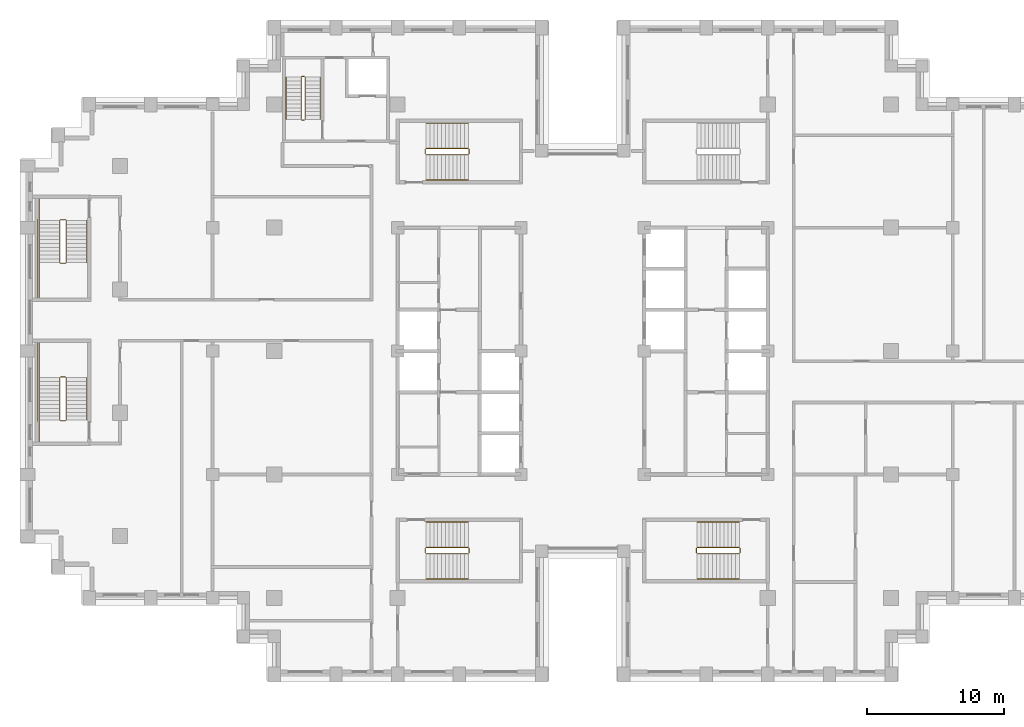
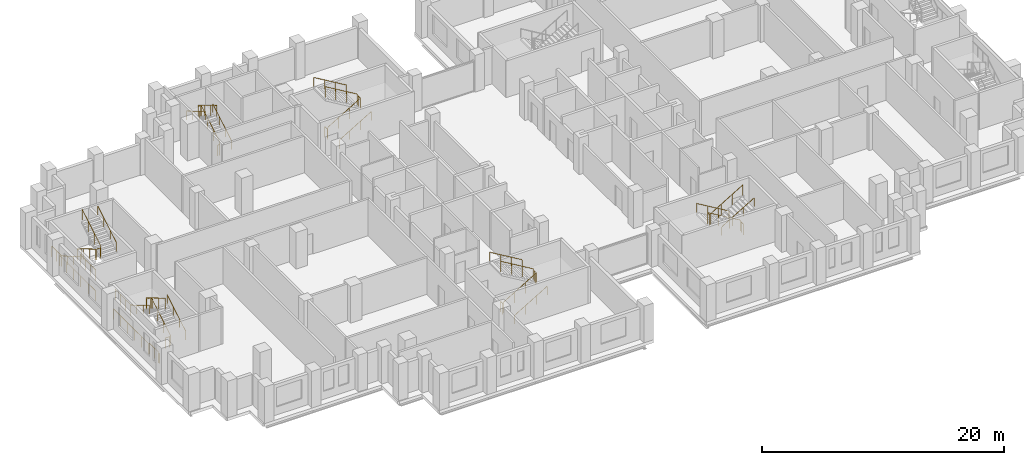
# One storey, part 14 of 15: 6 railings.
"""IFC4 building model written with IfcOpenShell, lengths in metres."""

from ifc_helpers import new_model, si_unit, direction, frame, origin, origin_2d, place, context, subcontext, project, spatial, circle, extrude, material, type_object, element, save


model = new_model("IFC4")

# Units and contexts
model_context = context("Model", 3, precision=1e-05, world=origin(), true_north=direction((0.0, 1.0)))
body_context = subcontext(model_context, "Body", "Model", "MODEL_VIEW")
ifc_project = project(units=[si_unit("LENGTHUNIT", "METRE"), si_unit("AREAUNIT", "SQUARE_METRE"), si_unit("VOLUMEUNIT", "CUBIC_METRE"), si_unit("PLANEANGLEUNIT", "RADIAN"), si_unit("MASSUNIT", "GRAM", prefix="KILO")], contexts=[model_context])

# Site, building, storey
site_placement = place(None, origin())
site = spatial("IfcSite", under=ifc_project, at=site_placement, CompositionType="ELEMENT")
building_placement = place(site_placement, origin())
building = spatial("IfcBuilding", under=site, at=building_placement, Name="Corbelhall Arena Tower", CompositionType="ELEMENT")
storey_placement = place(building_placement, frame((0.0, 0.0, 142.0)))
storey = spatial("IfcBuildingStorey", under=building, at=storey_placement, Name="L27", CompositionType="ELEMENT", Elevation=142.0)

# Railings
ifc_material = material(Name="Steel ASTM A500 Gr C", Category="steel")
railing_type = type_object("IfcRailingType", Name="IN-GD-1100", PredefinedType="GUARDRAIL", material=ifc_material)
railing_1_placement = place(storey_placement, frame((-11.425048828125, 14.324951171875, 0.166748046875)))
element("IfcRailing", 1, at=railing_1_placement, inside=storey, type_object=railing_type, Name="L27 ST1 stair guards and handrails", PredefinedType="GUARDRAIL", context=body_context, shape_type="SweptSolid", body=[
    extrude(circle(Radius=0.02392578125, at=origin_2d()), frame((0.0, 0.0, 1.076171875), z_axis=(0.859308565015, 0.0, 0.511457515432), x_axis=(0.0, 1.0, 0.0)), (0.0, 0.0, 1.0), 3.58447265625),
    extrude(circle(Radius=0.02392578125, at=origin_2d()), frame((3.130126953125, 0.050048828125, 2.9091796875), z_axis=(0.0, 1.0, 0.0), x_axis=(-1.0, 0.0, 0.0)), (0.0, 0.0, 1.0), 0.35009765625),
    extrude(circle(Radius=0.02392578125, at=origin_2d()), frame((3.080078125, 0.449951171875, 3.076171875), z_axis=(-0.859308565015, 0.0, 0.511457515432), x_axis=(0.0, -1.0, 0.0)), (0.0, 0.0, 1.0), 3.58447265625),
    extrude(circle(Radius=0.02392578125, at=origin_2d()), frame((-0.050048828125, 0.050048828125, 0.9091796875), z_axis=(0.0, 1.0, 0.0), x_axis=(-1.0, 0.0, 0.0)), (0.0, 0.0, 1.0), 0.35009765625),
    extrude(circle(Radius=0.02392578125, at=origin_2d()), frame((0.0, -1.849853515625, 0.8759765625), z_axis=(0.859308565015, 0.0, 0.511457515432), x_axis=(0.0, 1.0, 0.0)), (0.0, 0.0, 1.0), 3.58447265625),
    extrude(circle(Radius=0.02392578125, at=origin_2d()), frame((3.080078125, 2.300048828125, 2.8759765625), z_axis=(-0.859308565015, 0.0, 0.511457515432), x_axis=(0.0, -1.0, 0.0)), (0.0, 0.0, 1.0), 3.58447265625),
    extrude(circle(Radius=0.02099609375, at=origin_2d()), origin(), (0.0, 0.0, 1.0), 1.052001953125),
    extrude(circle(Radius=0.02099609375, at=origin_2d()), frame((1.026611328125, 0.0, 0.611083984375)), (0.0, 0.0, 1.0), 1.052001953125),
    extrude(circle(Radius=0.02099609375, at=origin_2d()), frame((2.053466796875, 0.0, 1.22216796875)), (0.0, 0.0, 1.0), 1.052001953125),
    extrude(circle(Radius=0.02099609375, at=origin_2d()), frame((3.080078125, 0.0, 1.833251953125)), (0.0, 0.0, 1.0), 1.052001953125),
    extrude(circle(Radius=0.02099609375, at=origin_2d()), frame((3.130126953125, 0.050048828125, 1.833251953125)), (0.0, 0.0, 1.0), 1.052001953125),
    extrude(circle(Radius=0.02099609375, at=origin_2d()), frame((3.130126953125, 0.400146484375, 1.833251953125)), (0.0, 0.0, 1.0), 1.052001953125),
    extrude(circle(Radius=0.02099609375, at=origin_2d()), frame((3.080078125, 0.449951171875, 2.0)), (0.0, 0.0, 1.0), 1.052001953125),
    extrude(circle(Radius=0.02099609375, at=origin_2d()), frame((2.053466796875, 0.449951171875, 2.611083984375)), (0.0, 0.0, 1.0), 1.052001953125),
    extrude(circle(Radius=0.02099609375, at=origin_2d()), frame((1.026611328125, 0.449951171875, 3.22216796875)), (0.0, 0.0, 1.0), 1.052001953125),
    extrude(circle(Radius=0.02099609375, at=origin_2d()), frame((0.0, 0.449951171875, 3.833251953125)), (0.0, 0.0, 1.0), 1.052001953125),
    extrude(circle(Radius=0.02099609375, at=origin_2d()), frame((-0.050048828125, 0.050048828125, -0.166748046875)), (0.0, 0.0, 1.0), 1.052001953125),
    extrude(circle(Radius=0.02099609375, at=origin_2d()), frame((-0.050048828125, 0.400146484375, -0.166748046875)), (0.0, 0.0, 1.0), 1.052001953125),
    extrude(circle(Radius=0.02099609375, at=origin_2d()), frame((0.0, -1.849853515625, 0.0)), (0.0, 0.0, 1.0), 0.851806640625),
    extrude(circle(Radius=0.02099609375, at=origin_2d()), frame((1.026611328125, -1.849853515625, 0.611083984375)), (0.0, 0.0, 1.0), 0.851806640625),
    extrude(circle(Radius=0.02099609375, at=origin_2d()), frame((2.053466796875, -1.849853515625, 1.22216796875)), (0.0, 0.0, 1.0), 0.851806640625),
    extrude(circle(Radius=0.02099609375, at=origin_2d()), frame((3.080078125, -1.849853515625, 1.833251953125)), (0.0, 0.0, 1.0), 0.851806640625),
    extrude(circle(Radius=0.02099609375, at=origin_2d()), frame((3.080078125, 2.300048828125, 2.0)), (0.0, 0.0, 1.0), 0.851806640625),
    extrude(circle(Radius=0.02099609375, at=origin_2d()), frame((2.053466796875, 2.300048828125, 2.611083984375)), (0.0, 0.0, 1.0), 0.851806640625),
    extrude(circle(Radius=0.02099609375, at=origin_2d()), frame((1.026611328125, 2.300048828125, 3.22216796875)), (0.0, 0.0, 1.0), 0.851806640625),
    extrude(circle(Radius=0.02099609375, at=origin_2d()), frame((0.0, 2.300048828125, 3.833251953125)), (0.0, 0.0, 1.0), 0.851806640625),
])
railing_2_placement = place(storey_placement, frame((-11.425048828125, -14.77490234375, 0.166748046875)))
element("IfcRailing", 2, at=railing_2_placement, inside=storey, type_object=railing_type, Name="L27 ST2 stair guards and handrails", PredefinedType="GUARDRAIL", context=body_context, shape_type="SweptSolid", body=[
    extrude(circle(Radius=0.02392578125, at=origin_2d()), frame((0.0, 0.0, 1.076171875), z_axis=(0.859308565015, 0.0, 0.511457515432), x_axis=(0.0, 1.0, 0.0)), (0.0, 0.0, 1.0), 3.58447265625),
    extrude(circle(Radius=0.02392578125, at=origin_2d()), frame((3.130126953125, 0.0498046875, 2.9091796875), z_axis=(0.0, 1.0, 0.0), x_axis=(-1.0, 0.0, 0.0)), (0.0, 0.0, 1.0), 0.35009765625),
    extrude(circle(Radius=0.02392578125, at=origin_2d()), frame((3.080078125, 0.449951171875, 3.076171875), z_axis=(-0.859308565015, 0.0, 0.511457515432), x_axis=(0.0, -1.0, 0.0)), (0.0, 0.0, 1.0), 3.58447265625),
    extrude(circle(Radius=0.02392578125, at=origin_2d()), frame((-0.050048828125, 0.0498046875, 0.9091796875), z_axis=(0.0, 1.0, 0.0), x_axis=(-1.0, 0.0, 0.0)), (0.0, 0.0, 1.0), 0.35009765625),
    extrude(circle(Radius=0.02392578125, at=origin_2d()), frame((0.0, -1.85009765625, 0.8759765625), z_axis=(0.859308565015, 0.0, 0.511457515432), x_axis=(0.0, 1.0, 0.0)), (0.0, 0.0, 1.0), 3.58447265625),
    extrude(circle(Radius=0.02392578125, at=origin_2d()), frame((3.080078125, 2.2998046875, 2.8759765625), z_axis=(-0.859308565015, 0.0, 0.511457515432), x_axis=(0.0, -1.0, 0.0)), (0.0, 0.0, 1.0), 3.58447265625),
    extrude(circle(Radius=0.02099609375, at=origin_2d()), origin(), (0.0, 0.0, 1.0), 1.052001953125),
    extrude(circle(Radius=0.02099609375, at=origin_2d()), frame((1.026611328125, 0.0, 0.611083984375)), (0.0, 0.0, 1.0), 1.052001953125),
    extrude(circle(Radius=0.02099609375, at=origin_2d()), frame((2.053466796875, 0.0, 1.22216796875)), (0.0, 0.0, 1.0), 1.052001953125),
    extrude(circle(Radius=0.02099609375, at=origin_2d()), frame((3.080078125, 0.0, 1.833251953125)), (0.0, 0.0, 1.0), 1.052001953125),
    extrude(circle(Radius=0.02099609375, at=origin_2d()), frame((3.130126953125, 0.0498046875, 1.833251953125)), (0.0, 0.0, 1.0), 1.052001953125),
    extrude(circle(Radius=0.02099609375, at=origin_2d()), frame((3.130126953125, 0.39990234375, 1.833251953125)), (0.0, 0.0, 1.0), 1.052001953125),
    extrude(circle(Radius=0.02099609375, at=origin_2d()), frame((3.080078125, 0.449951171875, 2.0)), (0.0, 0.0, 1.0), 1.052001953125),
    extrude(circle(Radius=0.02099609375, at=origin_2d()), frame((2.053466796875, 0.449951171875, 2.611083984375)), (0.0, 0.0, 1.0), 1.052001953125),
    extrude(circle(Radius=0.02099609375, at=origin_2d()), frame((1.026611328125, 0.449951171875, 3.22216796875)), (0.0, 0.0, 1.0), 1.052001953125),
    extrude(circle(Radius=0.02099609375, at=origin_2d()), frame((0.0, 0.449951171875, 3.833251953125)), (0.0, 0.0, 1.0), 1.052001953125),
    extrude(circle(Radius=0.02099609375, at=origin_2d()), frame((-0.050048828125, 0.0498046875, -0.166748046875)), (0.0, 0.0, 1.0), 1.052001953125),
    extrude(circle(Radius=0.02099609375, at=origin_2d()), frame((-0.050048828125, 0.39990234375, -0.166748046875)), (0.0, 0.0, 1.0), 1.052001953125),
    extrude(circle(Radius=0.02099609375, at=origin_2d()), frame((0.0, -1.85009765625, 0.0)), (0.0, 0.0, 1.0), 0.851806640625),
    extrude(circle(Radius=0.02099609375, at=origin_2d()), frame((1.026611328125, -1.85009765625, 0.611083984375)), (0.0, 0.0, 1.0), 0.851806640625),
    extrude(circle(Radius=0.02099609375, at=origin_2d()), frame((2.053466796875, -1.85009765625, 1.22216796875)), (0.0, 0.0, 1.0), 0.851806640625),
    extrude(circle(Radius=0.02099609375, at=origin_2d()), frame((3.080078125, -1.85009765625, 1.833251953125)), (0.0, 0.0, 1.0), 0.851806640625),
    extrude(circle(Radius=0.02099609375, at=origin_2d()), frame((3.080078125, 2.2998046875, 2.0)), (0.0, 0.0, 1.0), 0.851806640625),
    extrude(circle(Radius=0.02099609375, at=origin_2d()), frame((2.053466796875, 2.2998046875, 2.611083984375)), (0.0, 0.0, 1.0), 0.851806640625),
    extrude(circle(Radius=0.02099609375, at=origin_2d()), frame((1.026611328125, 2.2998046875, 3.22216796875)), (0.0, 0.0, 1.0), 0.851806640625),
    extrude(circle(Radius=0.02099609375, at=origin_2d()), frame((0.0, 2.2998046875, 3.833251953125)), (0.0, 0.0, 1.0), 0.851806640625),
])
railing_3_placement = place(storey_placement, frame((11.425048828125, -14.324951171875, 0.166748046875)))
element("IfcRailing", 3, at=railing_3_placement, inside=storey, type_object=railing_type, Name="L27 ST4 stair guards and handrails", PredefinedType="GUARDRAIL", context=body_context, shape_type="SweptSolid", body=[
    extrude(circle(Radius=0.02392578125, at=origin_2d()), frame((0.0, 0.0, 1.076171875), z_axis=(-0.859308565015, 0.0, 0.511457515432), x_axis=(0.0, -1.0, 0.0)), (0.0, 0.0, 1.0), 3.58447265625),
    extrude(circle(Radius=0.02392578125, at=origin_2d()), frame((-3.130126953125, -0.050048828125, 2.9091796875), z_axis=(0.0, -1.0, 0.0), x_axis=(1.0, 0.0, 0.0)), (0.0, 0.0, 1.0), 0.35009765625),
    extrude(circle(Radius=0.02392578125, at=origin_2d()), frame((-3.080078125, -0.449951171875, 3.076171875), z_axis=(0.859308565015, 0.0, 0.511457515432), x_axis=(0.0, 1.0, 0.0)), (0.0, 0.0, 1.0), 3.58447265625),
    extrude(circle(Radius=0.02392578125, at=origin_2d()), frame((0.050048828125, -0.050048828125, 0.9091796875), z_axis=(0.0, -1.0, 0.0), x_axis=(1.0, 0.0, 0.0)), (0.0, 0.0, 1.0), 0.35009765625),
    extrude(circle(Radius=0.02392578125, at=origin_2d()), frame((0.0, 1.849853515625, 0.8759765625), z_axis=(-0.859308565015, 0.0, 0.511457515432), x_axis=(0.0, -1.0, 0.0)), (0.0, 0.0, 1.0), 3.58447265625),
    extrude(circle(Radius=0.02392578125, at=origin_2d()), frame((-3.080078125, -2.300048828125, 2.8759765625), z_axis=(0.859308565015, 0.0, 0.511457515432), x_axis=(0.0, 1.0, 0.0)), (0.0, 0.0, 1.0), 3.58447265625),
    extrude(circle(Radius=0.02099609375, at=origin_2d()), origin(), (0.0, 0.0, 1.0), 1.052001953125),
    extrude(circle(Radius=0.02099609375, at=origin_2d()), frame((-1.026611328125, 0.0, 0.611083984375)), (0.0, 0.0, 1.0), 1.052001953125),
    extrude(circle(Radius=0.02099609375, at=origin_2d()), frame((-2.053466796875, 0.0, 1.22216796875)), (0.0, 0.0, 1.0), 1.052001953125),
    extrude(circle(Radius=0.02099609375, at=origin_2d()), frame((-3.080078125, 0.0, 1.833251953125)), (0.0, 0.0, 1.0), 1.052001953125),
    extrude(circle(Radius=0.02099609375, at=origin_2d()), frame((-3.130126953125, -0.050048828125, 1.833251953125)), (0.0, 0.0, 1.0), 1.052001953125),
    extrude(circle(Radius=0.02099609375, at=origin_2d()), frame((-3.130126953125, -0.400146484375, 1.833251953125)), (0.0, 0.0, 1.0), 1.052001953125),
    extrude(circle(Radius=0.02099609375, at=origin_2d()), frame((-3.080078125, -0.449951171875, 2.0)), (0.0, 0.0, 1.0), 1.052001953125),
    extrude(circle(Radius=0.02099609375, at=origin_2d()), frame((-2.053466796875, -0.449951171875, 2.611083984375)), (0.0, 0.0, 1.0), 1.052001953125),
    extrude(circle(Radius=0.02099609375, at=origin_2d()), frame((-1.026611328125, -0.449951171875, 3.22216796875)), (0.0, 0.0, 1.0), 1.052001953125),
    extrude(circle(Radius=0.02099609375, at=origin_2d()), frame((0.0, -0.449951171875, 3.833251953125)), (0.0, 0.0, 1.0), 1.052001953125),
    extrude(circle(Radius=0.02099609375, at=origin_2d()), frame((0.050048828125, -0.050048828125, -0.166748046875)), (0.0, 0.0, 1.0), 1.052001953125),
    extrude(circle(Radius=0.02099609375, at=origin_2d()), frame((0.050048828125, -0.400146484375, -0.166748046875)), (0.0, 0.0, 1.0), 1.052001953125),
    extrude(circle(Radius=0.02099609375, at=origin_2d()), frame((0.0, 1.849853515625, 0.0)), (0.0, 0.0, 1.0), 0.851806640625),
    extrude(circle(Radius=0.02099609375, at=origin_2d()), frame((-1.026611328125, 1.849853515625, 0.611083984375)), (0.0, 0.0, 1.0), 0.851806640625),
    extrude(circle(Radius=0.02099609375, at=origin_2d()), frame((-2.053466796875, 1.849853515625, 1.22216796875)), (0.0, 0.0, 1.0), 0.851806640625),
    extrude(circle(Radius=0.02099609375, at=origin_2d()), frame((-3.080078125, 1.849853515625, 1.833251953125)), (0.0, 0.0, 1.0), 0.851806640625),
    extrude(circle(Radius=0.02099609375, at=origin_2d()), frame((-3.080078125, -2.300048828125, 2.0)), (0.0, 0.0, 1.0), 0.851806640625),
    extrude(circle(Radius=0.02099609375, at=origin_2d()), frame((-2.053466796875, -2.300048828125, 2.611083984375)), (0.0, 0.0, 1.0), 0.851806640625),
    extrude(circle(Radius=0.02099609375, at=origin_2d()), frame((-1.026611328125, -2.300048828125, 3.22216796875)), (0.0, 0.0, 1.0), 0.851806640625),
    extrude(circle(Radius=0.02099609375, at=origin_2d()), frame((0.0, -2.300048828125, 3.833251953125)), (0.0, 0.0, 1.0), 0.851806640625),
])
railing_4_placement = place(storey_placement, frame((-38.14990234375, 9.52490234375, 0.166748046875)))
element("IfcRailing", 4, at=railing_4_placement, inside=storey, type_object=railing_type, Name="L27 SC1 stair guards and handrails", PredefinedType="GUARDRAIL", context=body_context, shape_type="SweptSolid", body=[
    extrude(circle(Radius=0.02392578125, at=origin_2d()), frame((0.0, 0.0, 1.076171875), z_axis=(0.0, -0.859290745958, 0.51148745235), x_axis=(1.0, 0.0, 0.0)), (0.0, 0.0, 1.0), 3.584228515625),
    extrude(circle(Radius=0.02392578125, at=origin_2d()), frame((0.0498046875, -3.1298828125, 2.9091796875), z_axis=(1.0, 0.0, 0.0), x_axis=(0.0, 1.0, 0.0)), (0.0, 0.0, 1.0), 0.375),
    extrude(circle(Radius=0.02392578125, at=origin_2d()), frame((-1.5, -3.079833984375, 2.9091796875), z_axis=(0.0, -1.0, 0.0), x_axis=(1.0, 0.0, 0.0)), (0.0, 0.0, 1.0), 2.570068359375),
    extrude(circle(Radius=0.02392578125, at=origin_2d()), frame((0.474853515625, -3.079833984375, 3.076171875), z_axis=(0.0, 0.859290745958, 0.51148745235), x_axis=(-1.0, 0.0, 0.0)), (0.0, 0.0, 1.0), 3.584228515625),
    extrude(circle(Radius=0.02392578125, at=origin_2d()), frame((0.0498046875, 0.050048828125, 0.9091796875), z_axis=(1.0, 0.0, 0.0), x_axis=(0.0, 1.0, 0.0)), (0.0, 0.0, 1.0), 0.375),
    extrude(circle(Radius=0.02392578125, at=origin_2d()), frame((-1.5, 1.60009765625, 0.9091796875), z_axis=(0.0, -1.0, 0.0), x_axis=(1.0, 0.0, 0.0)), (0.0, 0.0, 1.0), 1.60009765625),
    extrude(circle(Radius=0.02392578125, at=origin_2d()), frame((-1.60009765625, 0.10009765625, 0.9091796875), z_axis=(0.0, -1.0, 0.0), x_axis=(1.0, 0.0, 0.0)), (0.0, 0.0, 1.0), 5.85009765625),
    extrude(circle(Radius=0.02392578125, at=origin_2d()), frame((-1.5, 0.0, 0.8759765625), z_axis=(0.0, -0.859290745958, 0.51148745235), x_axis=(1.0, 0.0, 0.0)), (0.0, 0.0, 1.0), 3.584228515625),
    extrude(circle(Radius=0.02392578125, at=origin_2d()), frame((1.974853515625, -3.079833984375, 2.8759765625), z_axis=(0.0, 0.859290745958, 0.51148745235), x_axis=(-1.0, 0.0, 0.0)), (0.0, 0.0, 1.0), 3.584228515625),
    extrude(circle(Radius=0.02099609375, at=origin_2d()), origin(), (0.0, 0.0, 1.0), 1.052001953125),
    extrude(circle(Radius=0.02099609375, at=origin_2d()), frame((0.0, -1.026611328125, 0.611083984375)), (0.0, 0.0, 1.0), 1.052001953125),
    extrude(circle(Radius=0.02099609375, at=origin_2d()), frame((0.0, -2.05322265625, 1.22216796875)), (0.0, 0.0, 1.0), 1.052001953125),
    extrude(circle(Radius=0.02099609375, at=origin_2d()), frame((0.0, -3.079833984375, 1.833251953125)), (0.0, 0.0, 1.0), 1.052001953125),
    extrude(circle(Radius=0.02099609375, at=origin_2d()), frame((0.0498046875, -3.1298828125, 1.833251953125)), (0.0, 0.0, 1.0), 1.052001953125),
    extrude(circle(Radius=0.02099609375, at=origin_2d()), frame((0.4248046875, -3.1298828125, 1.833251953125)), (0.0, 0.0, 1.0), 1.052001953125),
    extrude(circle(Radius=0.02099609375, at=origin_2d()), frame((-1.5, -3.079833984375, 1.833251953125)), (0.0, 0.0, 1.0), 1.052001953125),
    extrude(circle(Radius=0.02099609375, at=origin_2d()), frame((-1.5, -3.9365234375, 1.833251953125)), (0.0, 0.0, 1.0), 1.052001953125),
    extrude(circle(Radius=0.02099609375, at=origin_2d()), frame((-1.5, -4.793212890625, 1.833251953125)), (0.0, 0.0, 1.0), 1.052001953125),
    extrude(circle(Radius=0.02099609375, at=origin_2d()), frame((-1.5, -5.64990234375, 1.833251953125)), (0.0, 0.0, 1.0), 1.052001953125),
    extrude(circle(Radius=0.02099609375, at=origin_2d()), frame((0.474853515625, -3.079833984375, 2.0)), (0.0, 0.0, 1.0), 1.052001953125),
    extrude(circle(Radius=0.02099609375, at=origin_2d()), frame((0.474853515625, -2.05322265625, 2.611083984375)), (0.0, 0.0, 1.0), 1.052001953125),
    extrude(circle(Radius=0.02099609375, at=origin_2d()), frame((0.474853515625, -1.026611328125, 3.22216796875)), (0.0, 0.0, 1.0), 1.052001953125),
    extrude(circle(Radius=0.02099609375, at=origin_2d()), frame((0.474853515625, 0.0, 3.833251953125)), (0.0, 0.0, 1.0), 1.052001953125),
    extrude(circle(Radius=0.02099609375, at=origin_2d()), frame((0.0498046875, 0.050048828125, -0.166748046875)), (0.0, 0.0, 1.0), 1.052001953125),
    extrude(circle(Radius=0.02099609375, at=origin_2d()), frame((0.4248046875, 0.050048828125, -0.166748046875)), (0.0, 0.0, 1.0), 1.052001953125),
    extrude(circle(Radius=0.02099609375, at=origin_2d()), frame((-1.5, 1.60009765625, -0.166748046875)), (0.0, 0.0, 1.0), 1.052001953125),
    extrude(circle(Radius=0.02099609375, at=origin_2d()), frame((-1.5, 0.800048828125, -0.166748046875)), (0.0, 0.0, 1.0), 1.052001953125),
    extrude(circle(Radius=0.02099609375, at=origin_2d()), frame((-1.5, 0.0, -0.166748046875)), (0.0, 0.0, 1.0), 1.052001953125),
    extrude(circle(Radius=0.02099609375, at=origin_2d()), frame((-1.60009765625, 0.10009765625, -0.166748046875)), (0.0, 0.0, 1.0), 1.052001953125),
    extrude(circle(Radius=0.02099609375, at=origin_2d()), frame((-1.60009765625, -1.06982421875, -0.166748046875)), (0.0, 0.0, 1.0), 1.052001953125),
    extrude(circle(Radius=0.02099609375, at=origin_2d()), frame((-1.60009765625, -2.239990234375, -0.166748046875)), (0.0, 0.0, 1.0), 1.052001953125),
    extrude(circle(Radius=0.02099609375, at=origin_2d()), frame((-1.60009765625, -3.409912109375, -0.166748046875)), (0.0, 0.0, 1.0), 1.052001953125),
    extrude(circle(Radius=0.02099609375, at=origin_2d()), frame((-1.60009765625, -4.580078125, -0.166748046875)), (0.0, 0.0, 1.0), 1.052001953125),
    extrude(circle(Radius=0.02099609375, at=origin_2d()), frame((-1.60009765625, -5.75, -0.166748046875)), (0.0, 0.0, 1.0), 1.052001953125),
    extrude(circle(Radius=0.02099609375, at=origin_2d()), frame((-1.5, 0.0, 0.0)), (0.0, 0.0, 1.0), 0.851806640625),
    extrude(circle(Radius=0.02099609375, at=origin_2d()), frame((-1.5, -1.026611328125, 0.611083984375)), (0.0, 0.0, 1.0), 0.851806640625),
    extrude(circle(Radius=0.02099609375, at=origin_2d()), frame((-1.5, -2.05322265625, 1.22216796875)), (0.0, 0.0, 1.0), 0.851806640625),
    extrude(circle(Radius=0.02099609375, at=origin_2d()), frame((1.974853515625, -3.079833984375, 2.0)), (0.0, 0.0, 1.0), 0.851806640625),
    extrude(circle(Radius=0.02099609375, at=origin_2d()), frame((1.974853515625, -2.05322265625, 2.611083984375)), (0.0, 0.0, 1.0), 0.851806640625),
    extrude(circle(Radius=0.02099609375, at=origin_2d()), frame((1.974853515625, -1.026611328125, 3.22216796875)), (0.0, 0.0, 1.0), 0.851806640625),
    extrude(circle(Radius=0.02099609375, at=origin_2d()), frame((1.974853515625, 0.0, 3.833251953125)), (0.0, 0.0, 1.0), 0.851806640625),
])
railing_5_placement = place(storey_placement, frame((-37.675048828125, -5.02490234375, 0.166748046875)))
element("IfcRailing", 5, at=railing_5_placement, inside=storey, type_object=railing_type, Name="L27 SC2 stair guards and handrails", PredefinedType="GUARDRAIL", context=body_context, shape_type="SweptSolid", body=[
    extrude(circle(Radius=0.02392578125, at=origin_2d()), frame((0.0, 0.0, 1.076171875), z_axis=(0.0, 0.859290745958, 0.51148745235), x_axis=(-1.0, 0.0, 0.0)), (0.0, 0.0, 1.0), 3.584228515625),
    extrude(circle(Radius=0.02392578125, at=origin_2d()), frame((-0.050048828125, 3.1298828125, 2.9091796875), z_axis=(-1.0, 0.0, 0.0), x_axis=(0.0, -1.0, 0.0)), (0.0, 0.0, 1.0), 0.375),
    extrude(circle(Radius=0.02392578125, at=origin_2d()), frame((-1.974853515625, 3.079833984375, 2.9091796875), z_axis=(0.0, 1.0, 0.0), x_axis=(-1.0, 0.0, 0.0)), (0.0, 0.0, 1.0), 2.570068359375),
    extrude(circle(Radius=0.02392578125, at=origin_2d()), frame((-0.474853515625, 3.079833984375, 3.076171875), z_axis=(0.0, -0.859290745958, 0.51148745235), x_axis=(1.0, 0.0, 0.0)), (0.0, 0.0, 1.0), 3.584228515625),
    extrude(circle(Radius=0.02392578125, at=origin_2d()), frame((-0.050048828125, -0.050048828125, 0.9091796875), z_axis=(-1.0, 0.0, 0.0), x_axis=(0.0, -1.0, 0.0)), (0.0, 0.0, 1.0), 0.375),
    extrude(circle(Radius=0.02392578125, at=origin_2d()), frame((-1.974853515625, -1.60009765625, 0.9091796875), z_axis=(0.0, 1.0, 0.0), x_axis=(-1.0, 0.0, 0.0)), (0.0, 0.0, 1.0), 1.60009765625),
    extrude(circle(Radius=0.02392578125, at=origin_2d()), frame((-2.074951171875, -0.10009765625, 0.9091796875), z_axis=(0.0, 1.0, 0.0), x_axis=(-1.0, 0.0, 0.0)), (0.0, 0.0, 1.0), 5.85009765625),
    extrude(circle(Radius=0.02392578125, at=origin_2d()), frame((1.5, 0.0, 0.8759765625), z_axis=(0.0, 0.859290745958, 0.51148745235), x_axis=(-1.0, 0.0, 0.0)), (0.0, 0.0, 1.0), 3.584228515625),
    extrude(circle(Radius=0.02392578125, at=origin_2d()), frame((-1.974853515625, 3.079833984375, 2.8759765625), z_axis=(0.0, -0.859290745958, 0.51148745235), x_axis=(1.0, 0.0, 0.0)), (0.0, 0.0, 1.0), 3.584228515625),
    extrude(circle(Radius=0.02099609375, at=origin_2d()), origin(), (0.0, 0.0, 1.0), 1.052001953125),
    extrude(circle(Radius=0.02099609375, at=origin_2d()), frame((0.0, 1.026611328125, 0.611083984375)), (0.0, 0.0, 1.0), 1.052001953125),
    extrude(circle(Radius=0.02099609375, at=origin_2d()), frame((0.0, 2.05322265625, 1.22216796875)), (0.0, 0.0, 1.0), 1.052001953125),
    extrude(circle(Radius=0.02099609375, at=origin_2d()), frame((0.0, 3.079833984375, 1.833251953125)), (0.0, 0.0, 1.0), 1.052001953125),
    extrude(circle(Radius=0.02099609375, at=origin_2d()), frame((-0.050048828125, 3.1298828125, 1.833251953125)), (0.0, 0.0, 1.0), 1.052001953125),
    extrude(circle(Radius=0.02099609375, at=origin_2d()), frame((-0.425048828125, 3.1298828125, 1.833251953125)), (0.0, 0.0, 1.0), 1.052001953125),
    extrude(circle(Radius=0.02099609375, at=origin_2d()), frame((-1.974853515625, 3.079833984375, 1.833251953125)), (0.0, 0.0, 1.0), 1.052001953125),
    extrude(circle(Radius=0.02099609375, at=origin_2d()), frame((-1.974853515625, 3.9365234375, 1.833251953125)), (0.0, 0.0, 1.0), 1.052001953125),
    extrude(circle(Radius=0.02099609375, at=origin_2d()), frame((-1.974853515625, 4.793212890625, 1.833251953125)), (0.0, 0.0, 1.0), 1.052001953125),
    extrude(circle(Radius=0.02099609375, at=origin_2d()), frame((-1.974853515625, 5.64990234375, 1.833251953125)), (0.0, 0.0, 1.0), 1.052001953125),
    extrude(circle(Radius=0.02099609375, at=origin_2d()), frame((-0.474853515625, 3.079833984375, 2.0)), (0.0, 0.0, 1.0), 1.052001953125),
    extrude(circle(Radius=0.02099609375, at=origin_2d()), frame((-0.474853515625, 2.05322265625, 2.611083984375)), (0.0, 0.0, 1.0), 1.052001953125),
    extrude(circle(Radius=0.02099609375, at=origin_2d()), frame((-0.474853515625, 1.026611328125, 3.22216796875)), (0.0, 0.0, 1.0), 1.052001953125),
    extrude(circle(Radius=0.02099609375, at=origin_2d()), frame((-0.474853515625, 0.0, 3.833251953125)), (0.0, 0.0, 1.0), 1.052001953125),
    extrude(circle(Radius=0.02099609375, at=origin_2d()), frame((-0.050048828125, -0.050048828125, -0.166748046875)), (0.0, 0.0, 1.0), 1.052001953125),
    extrude(circle(Radius=0.02099609375, at=origin_2d()), frame((-0.425048828125, -0.050048828125, -0.166748046875)), (0.0, 0.0, 1.0), 1.052001953125),
    extrude(circle(Radius=0.02099609375, at=origin_2d()), frame((-1.974853515625, -1.60009765625, -0.166748046875)), (0.0, 0.0, 1.0), 1.052001953125),
    extrude(circle(Radius=0.02099609375, at=origin_2d()), frame((-1.974853515625, -0.800048828125, -0.166748046875)), (0.0, 0.0, 1.0), 1.052001953125),
    extrude(circle(Radius=0.02099609375, at=origin_2d()), frame((-1.974853515625, 0.0, -0.166748046875)), (0.0, 0.0, 1.0), 1.052001953125),
    extrude(circle(Radius=0.02099609375, at=origin_2d()), frame((-2.074951171875, -0.10009765625, -0.166748046875)), (0.0, 0.0, 1.0), 1.052001953125),
    extrude(circle(Radius=0.02099609375, at=origin_2d()), frame((-2.074951171875, 1.06982421875, -0.166748046875)), (0.0, 0.0, 1.0), 1.052001953125),
    extrude(circle(Radius=0.02099609375, at=origin_2d()), frame((-2.074951171875, 2.239990234375, -0.166748046875)), (0.0, 0.0, 1.0), 1.052001953125),
    extrude(circle(Radius=0.02099609375, at=origin_2d()), frame((-2.074951171875, 3.409912109375, -0.166748046875)), (0.0, 0.0, 1.0), 1.052001953125),
    extrude(circle(Radius=0.02099609375, at=origin_2d()), frame((-2.074951171875, 4.580078125, -0.166748046875)), (0.0, 0.0, 1.0), 1.052001953125),
    extrude(circle(Radius=0.02099609375, at=origin_2d()), frame((-2.074951171875, 5.75, -0.166748046875)), (0.0, 0.0, 1.0), 1.052001953125),
    extrude(circle(Radius=0.02099609375, at=origin_2d()), frame((1.5, 0.0, 0.0)), (0.0, 0.0, 1.0), 0.851806640625),
    extrude(circle(Radius=0.02099609375, at=origin_2d()), frame((1.5, 1.026611328125, 0.611083984375)), (0.0, 0.0, 1.0), 0.851806640625),
    extrude(circle(Radius=0.02099609375, at=origin_2d()), frame((1.5, 2.05322265625, 1.22216796875)), (0.0, 0.0, 1.0), 0.851806640625),
    extrude(circle(Radius=0.02099609375, at=origin_2d()), frame((1.5, 3.079833984375, 1.833251953125)), (0.0, 0.0, 1.0), 0.851806640625),
    extrude(circle(Radius=0.02099609375, at=origin_2d()), frame((-1.974853515625, 3.079833984375, 2.0)), (0.0, 0.0, 1.0), 0.851806640625),
    extrude(circle(Radius=0.02099609375, at=origin_2d()), frame((-1.974853515625, 2.05322265625, 2.611083984375)), (0.0, 0.0, 1.0), 0.851806640625),
    extrude(circle(Radius=0.02099609375, at=origin_2d()), frame((-1.974853515625, 1.026611328125, 3.22216796875)), (0.0, 0.0, 1.0), 0.851806640625),
    extrude(circle(Radius=0.02099609375, at=origin_2d()), frame((-1.974853515625, 0.0, 3.833251953125)), (0.0, 0.0, 1.0), 0.851806640625),
])
railing_6_placement = place(storey_placement, frame((-20.2451171875, 16.89990234375, 0.166748046875)))
element("IfcRailing", 6, at=railing_6_placement, inside=storey, type_object=railing_type, Name="L27 ST5 stair guards and handrails", PredefinedType="GUARDRAIL", context=body_context, shape_type="SweptSolid", body=[
    extrude(circle(Radius=0.02392578125, at=origin_2d()), frame((0.0, 0.0, 1.076171875), z_axis=(0.0, 0.859308565015, 0.511457515432), x_axis=(-1.0, 0.0, 0.0)), (0.0, 0.0, 1.0), 3.58447265625),
    extrude(circle(Radius=0.02392578125, at=origin_2d()), frame((-0.0498046875, 3.130126953125, 2.9091796875), z_axis=(-1.0, 0.0, 0.0), x_axis=(0.0, -1.0, 0.0)), (0.0, 0.0, 1.0), 0.2001953125),
    extrude(circle(Radius=0.02392578125, at=origin_2d()), frame((-0.2998046875, 3.080078125, 3.076171875), z_axis=(0.0, -0.859308565015, 0.511457515432), x_axis=(1.0, 0.0, 0.0)), (0.0, 0.0, 1.0), 3.58447265625),
    extrude(circle(Radius=0.02392578125, at=origin_2d()), frame((-0.0498046875, -0.0498046875, 0.9091796875), z_axis=(-1.0, 0.0, 0.0), x_axis=(0.0, -1.0, 0.0)), (0.0, 0.0, 1.0), 0.2001953125),
    extrude(circle(Radius=0.02392578125, at=origin_2d()), frame((1.10009765625, 0.0, 0.8759765625), z_axis=(0.0, 0.859308565015, 0.511457515432), x_axis=(-1.0, 0.0, 0.0)), (0.0, 0.0, 1.0), 3.58447265625),
    extrude(circle(Radius=0.02392578125, at=origin_2d()), frame((-1.39990234375, 3.080078125, 2.8759765625), z_axis=(0.0, -0.859308565015, 0.511457515432), x_axis=(1.0, 0.0, 0.0)), (0.0, 0.0, 1.0), 3.58447265625),
    extrude(circle(Radius=0.02099609375, at=origin_2d()), origin(), (0.0, 0.0, 1.0), 1.052001953125),
    extrude(circle(Radius=0.02099609375, at=origin_2d()), frame((0.0, 1.026611328125, 0.611083984375)), (0.0, 0.0, 1.0), 1.052001953125),
    extrude(circle(Radius=0.02099609375, at=origin_2d()), frame((0.0, 2.053466796875, 1.22216796875)), (0.0, 0.0, 1.0), 1.052001953125),
    extrude(circle(Radius=0.02099609375, at=origin_2d()), frame((0.0, 3.080078125, 1.833251953125)), (0.0, 0.0, 1.0), 1.052001953125),
    extrude(circle(Radius=0.02099609375, at=origin_2d()), frame((-0.0498046875, 3.130126953125, 1.833251953125)), (0.0, 0.0, 1.0), 1.052001953125),
    extrude(circle(Radius=0.02099609375, at=origin_2d()), frame((-0.25, 3.130126953125, 1.833251953125)), (0.0, 0.0, 1.0), 1.052001953125),
    extrude(circle(Radius=0.02099609375, at=origin_2d()), frame((-0.2998046875, 3.080078125, 2.0)), (0.0, 0.0, 1.0), 1.052001953125),
    extrude(circle(Radius=0.02099609375, at=origin_2d()), frame((-0.2998046875, 2.053466796875, 2.611083984375)), (0.0, 0.0, 1.0), 1.052001953125),
    extrude(circle(Radius=0.02099609375, at=origin_2d()), frame((-0.2998046875, 1.026611328125, 3.22216796875)), (0.0, 0.0, 1.0), 1.052001953125),
    extrude(circle(Radius=0.02099609375, at=origin_2d()), frame((-0.2998046875, 0.0, 3.833251953125)), (0.0, 0.0, 1.0), 1.052001953125),
    extrude(circle(Radius=0.02099609375, at=origin_2d()), frame((-0.0498046875, -0.0498046875, -0.166748046875)), (0.0, 0.0, 1.0), 1.052001953125),
    extrude(circle(Radius=0.02099609375, at=origin_2d()), frame((-0.25, -0.0498046875, -0.166748046875)), (0.0, 0.0, 1.0), 1.052001953125),
    extrude(circle(Radius=0.02099609375, at=origin_2d()), frame((1.10009765625, 0.0, 0.0)), (0.0, 0.0, 1.0), 0.851806640625),
    extrude(circle(Radius=0.02099609375, at=origin_2d()), frame((1.10009765625, 1.026611328125, 0.611083984375)), (0.0, 0.0, 1.0), 0.851806640625),
    extrude(circle(Radius=0.02099609375, at=origin_2d()), frame((1.10009765625, 2.053466796875, 1.22216796875)), (0.0, 0.0, 1.0), 0.851806640625),
    extrude(circle(Radius=0.02099609375, at=origin_2d()), frame((1.10009765625, 3.080078125, 1.833251953125)), (0.0, 0.0, 1.0), 0.851806640625),
    extrude(circle(Radius=0.02099609375, at=origin_2d()), frame((-1.39990234375, 3.080078125, 2.0)), (0.0, 0.0, 1.0), 0.851806640625),
    extrude(circle(Radius=0.02099609375, at=origin_2d()), frame((-1.39990234375, 2.053466796875, 2.611083984375)), (0.0, 0.0, 1.0), 0.851806640625),
    extrude(circle(Radius=0.02099609375, at=origin_2d()), frame((-1.39990234375, 1.026611328125, 3.22216796875)), (0.0, 0.0, 1.0), 0.851806640625),
    extrude(circle(Radius=0.02099609375, at=origin_2d()), frame((-1.39990234375, 0.0, 3.833251953125)), (0.0, 0.0, 1.0), 0.851806640625),
])

save(model, "model.ifc")
